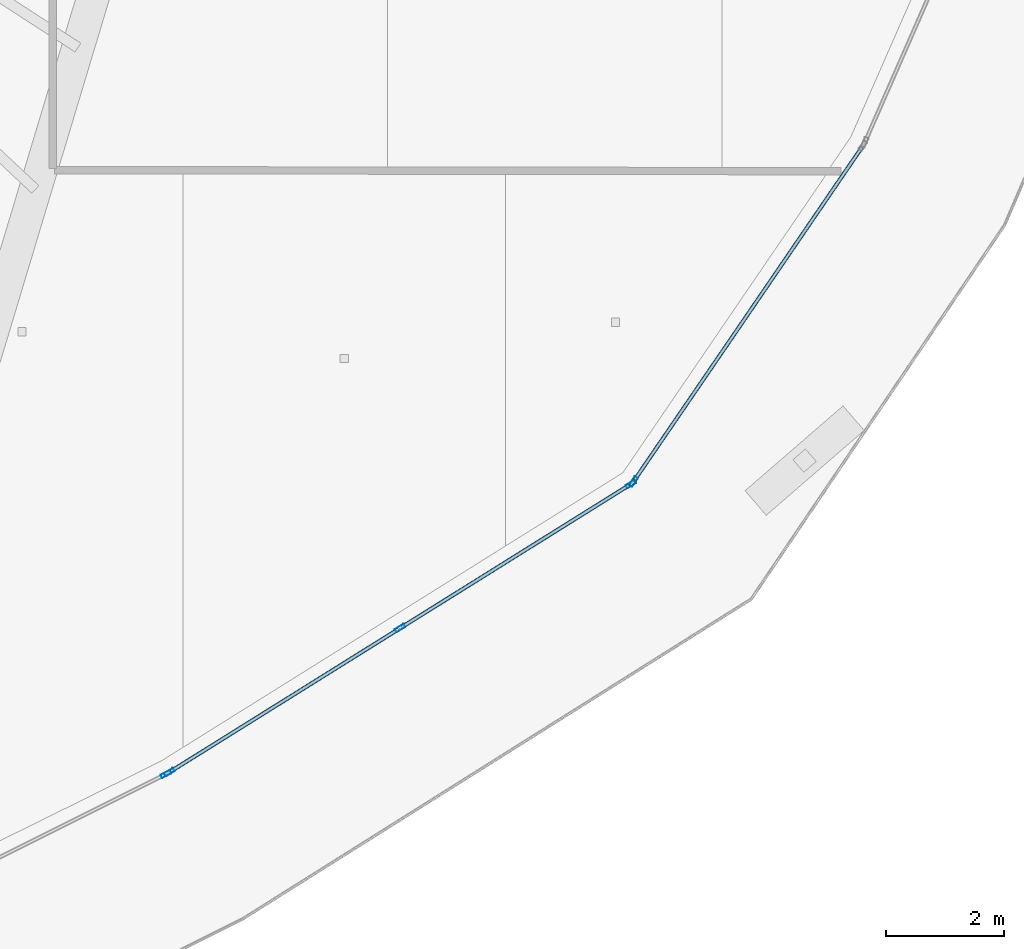
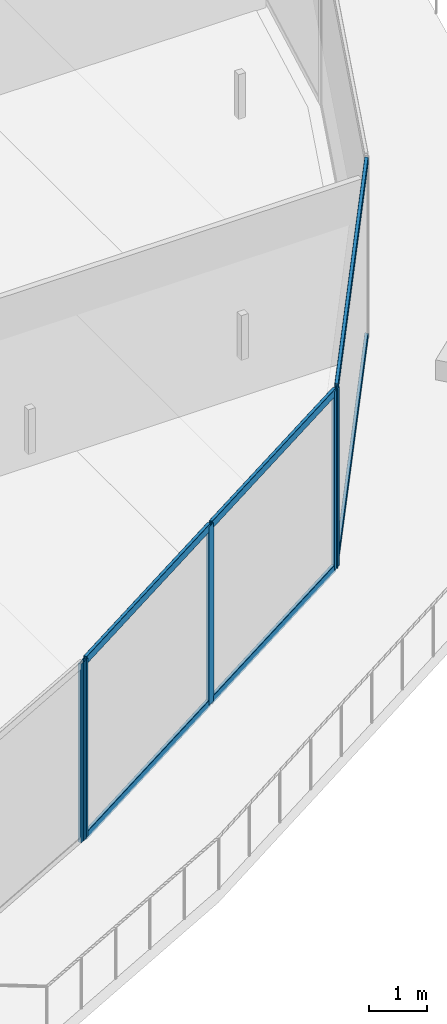
# One storey, part 9 of 44: 11 members, 3 elements without a shape of their own.
"""IFC4 building model written with IfcOpenShell, lengths in metres."""

from ifc_helpers import new_model, si_unit, direction, frame, origin, origin_2d, place, context, subcontext, project, spatial, hollow_rectangle, extrude, material, layer, layer_set, material_profile, profile_set, type_object, element, aggregate, save


model = new_model("IFC4")

# Units and contexts
model_context = context("Model", 3, precision=1e-05, world=origin(), true_north=direction((0.0, 1.0)))
body_context = subcontext(model_context, "Body", "Model", "MODEL_VIEW")
ifc_project = project(units=[si_unit("LENGTHUNIT", "METRE"), si_unit("AREAUNIT", "SQUARE_METRE"), si_unit("VOLUMEUNIT", "CUBIC_METRE"), si_unit("PLANEANGLEUNIT", "RADIAN"), si_unit("MASSUNIT", "GRAM", prefix="KILO")], contexts=[model_context])

# Site, building, storey
site_placement = place(None, origin())
site = spatial("IfcSite", under=ifc_project, at=site_placement, CompositionType="ELEMENT")
building_placement = place(site_placement, origin())
building = spatial("IfcBuilding", under=site, at=building_placement, Name="Qorvath Tower", CompositionType="ELEMENT")
storey_placement = place(building_placement, frame((0.0, 0.0, 113.85009765625)))
storey = spatial("IfcBuildingStorey", under=building, at=storey_placement, Name="L25", CompositionType="ELEMENT", Elevation=113.85009765625)

# Curtain wall, member
ifc_material_1 = material(Name="Anodised aluminium and triple low-E glass", Category="aluminium")
ifc_layer = layer(ifc_material_1, 0.179931640625)
ifc_layer_set = layer_set([ifc_layer], Name="CW-SYS-2")
curtain_wall_type = type_object("IfcCurtainWallType", Name="CW-SYS-2", PredefinedType="NOTDEFINED", material=ifc_layer_set)
curtain_wall_1_placement = place(storey_placement, origin())
curtain_wall_1 = element("IfcCurtainWall", 1, at=curtain_wall_1_placement, inside=storey, type_object=curtain_wall_type, Name="Curtain Wall CW-2 CW-T-L25-3.1", PredefinedType="NOTDEFINED")
ifc_material_2 = material(Name="Anodised aluminium 6063-T6", Category="aluminium")
ifc_material_profile_1 = material_profile(ifc_material_2, hollow_rectangle(XDim=0.06494140625, YDim=0.179931640625, WallThickness=0.00341796875, InnerFilletRadius=0.00341796875, OuterFilletRadius=0.007080078125, at=origin_2d()), Name="CWM 180x65")
ifc_profile_set_1 = profile_set([ifc_material_profile_1], Name="Anodised aluminium 6063-T6")
member_type_1 = type_object("IfcMemberType", Name="CWM-180", PredefinedType="MULLION", material=ifc_profile_set_1)
member_1_placement = place(storey_placement, frame((-11.228759765625, -28.875, 0.0), z_axis=(0.0, 0.0, 1.0), x_axis=(-0.447181364469, 0.89444330579, 0.0)))
member_1 = element("IfcMember", 2, at=member_1_placement, type_object=member_type_1, Name="CW-2 mullion 2", PredefinedType="MULLION", context=body_context, shape_type="SweptSolid", body=[
    extrude(hollow_rectangle(XDim=0.06494140625, YDim=0.179931640625, WallThickness=0.00341796875, InnerFilletRadius=0.00341796875, OuterFilletRadius=0.007080078125, at=origin_2d()), origin(), (0.0, 0.0, 1.0), 3.77001953125),
])
aggregate(curtain_wall_1, [member_1])

# Curtain wall, members
curtain_wall_2_placement = place(storey_placement, origin())
curtain_wall_2 = element("IfcCurtainWall", 3, at=curtain_wall_2_placement, inside=storey, type_object=curtain_wall_type, Name="Curtain Wall CW-2 CW-T-L25-4.1", PredefinedType="NOTDEFINED")
member_2_placement = place(storey_placement, frame((-11.172119140625, -28.84326171875, 0.0), z_axis=(0.0, 0.0, 1.0), x_axis=(-0.529548597524, 0.848279601818, 0.0)))
member_2 = element("IfcMember", 4, at=member_2_placement, type_object=member_type_1, Name="CW-2 mullion 1", PredefinedType="MULLION", context=body_context, shape_type="SweptSolid", body=[
    extrude(hollow_rectangle(XDim=0.06494140625, YDim=0.179931640625, WallThickness=0.00341796875, InnerFilletRadius=0.00341796875, OuterFilletRadius=0.007080078125, at=origin_2d()), origin(), (0.0, 0.0, 1.0), 3.77001953125),
])
member_3_placement = place(storey_placement, frame((-7.25390625, -26.397216796875, 0.0), z_axis=(0.0, 0.0, 1.0), x_axis=(-0.529548597524, 0.848279601818, 0.0)))
member_3 = element("IfcMember", 5, at=member_3_placement, type_object=member_type_1, Name="CW-2 mullion 2", PredefinedType="MULLION", context=body_context, shape_type="SweptSolid", body=[
    extrude(hollow_rectangle(XDim=0.06494140625, YDim=0.179931640625, WallThickness=0.00341796875, InnerFilletRadius=0.00341796875, OuterFilletRadius=0.007080078125, at=origin_2d()), origin(), (0.0, 0.0, 1.0), 3.77001953125),
])
member_4_placement = place(storey_placement, frame((-3.3359375, -23.951416015625, 0.0), z_axis=(0.0, 0.0, 1.0), x_axis=(-0.529548597524, 0.848279601818, 0.0)))
member_4 = element("IfcMember", 6, at=member_4_placement, type_object=member_type_1, Name="CW-2 mullion 3", PredefinedType="MULLION", context=body_context, shape_type="SweptSolid", body=[
    extrude(hollow_rectangle(XDim=0.06494140625, YDim=0.179931640625, WallThickness=0.00341796875, InnerFilletRadius=0.00341796875, OuterFilletRadius=0.007080078125, at=origin_2d()), origin(), (0.0, 0.0, 1.0), 3.77001953125),
])

# Curtain wall, member
curtain_wall_3_placement = place(storey_placement, origin())
curtain_wall_3 = element("IfcCurtainWall", 7, at=curtain_wall_3_placement, inside=storey, type_object=curtain_wall_type, Name="Curtain Wall CW-2 CW-T-L25-5.1", PredefinedType="NOTDEFINED")
member_5_placement = place(storey_placement, frame((-3.2900390625, -23.9072265625, 0.0), z_axis=(0.0, 0.0, 1.0), x_axis=(-0.825695001763, 0.564116800019, 0.0)))
member_5 = element("IfcMember", 8, at=member_5_placement, type_object=member_type_1, Name="CW-2 mullion 1", PredefinedType="MULLION", context=body_context, shape_type="SweptSolid", body=[
    extrude(hollow_rectangle(XDim=0.06494140625, YDim=0.179931640625, WallThickness=0.00341796875, InnerFilletRadius=0.00341796875, OuterFilletRadius=0.007080078125, at=origin_2d()), origin(), (0.0, 0.0, 1.0), 3.77001953125),
])

# Member
ifc_material_3 = material(Name="Anodised aluminium 6063-T6", Category="aluminium")
ifc_material_profile_2 = material_profile(ifc_material_3, hollow_rectangle(XDim=0.06494140625, YDim=0.159912109375, WallThickness=0.00341796875, InnerFilletRadius=0.00341796875, OuterFilletRadius=0.007080078125, at=origin_2d()), Name="CWT 160x65")
ifc_profile_set_2 = profile_set([ifc_material_profile_2], Name="Anodised aluminium 6063-T6")
member_type_2 = type_object("IfcMemberType", Name="CWT-160", PredefinedType="USERDEFINED", material=ifc_profile_set_2)
member_6_placement = place(storey_placement, frame((-11.14453125, -28.825927734375, 0.032470703125), z_axis=(0.848296346678, 0.529521773124, 0.0), x_axis=(-0.529521773124, 0.848296346678, 0.0)))
member_6 = element("IfcMember", 9, at=member_6_placement, type_object=member_type_2, Name="CW-2 transom 1.1", ObjectType="TRANSOM", PredefinedType="USERDEFINED", context=body_context, shape_type="SweptSolid", body=[
    extrude(hollow_rectangle(XDim=0.06494140625, YDim=0.159912109375, WallThickness=0.00341796875, InnerFilletRadius=0.00341796875, OuterFilletRadius=0.007080078125, at=origin_2d()), origin(), (0.0, 0.0, 1.0), 4.553955078125),
])

member_7_placement = place(storey_placement, frame((-11.14453125, -28.825927734375, 3.737548828125), z_axis=(0.848296346678, 0.529521773124, 0.0), x_axis=(-0.529521773124, 0.848296346678, 0.0)))
member_7 = element("IfcMember", 10, at=member_7_placement, type_object=member_type_2, Name="CW-2 transom 1.2", ObjectType="TRANSOM", PredefinedType="USERDEFINED", context=body_context, shape_type="SweptSolid", body=[
    extrude(hollow_rectangle(XDim=0.06494140625, YDim=0.159912109375, WallThickness=0.00341796875, InnerFilletRadius=0.00341796875, OuterFilletRadius=0.007080078125, at=origin_2d()), origin(), (0.0, 0.0, 1.0), 4.553955078125),
])

member_8_placement = place(storey_placement, frame((-7.226318359375, -26.380126953125, 0.032470703125), z_axis=(0.848257229493, 0.529584433885, 0.0), x_axis=(-0.529584433885, 0.848257229493, 0.0)))
member_8 = element("IfcMember", 11, at=member_8_placement, type_object=member_type_2, Name="CW-2 transom 2.1", ObjectType="TRANSOM", PredefinedType="USERDEFINED", context=body_context, shape_type="SweptSolid", body=[
    extrude(hollow_rectangle(XDim=0.06494140625, YDim=0.159912109375, WallThickness=0.00341796875, InnerFilletRadius=0.00341796875, OuterFilletRadius=0.007080078125, at=origin_2d()), origin(), (0.0, 0.0, 1.0), 4.5537109375),
])

member_9_placement = place(storey_placement, frame((-7.226318359375, -26.380126953125, 3.737548828125), z_axis=(0.848257229493, 0.529584433885, 0.0), x_axis=(-0.529584433885, 0.848257229493, 0.0)))
member_9 = element("IfcMember", 12, at=member_9_placement, type_object=member_type_2, Name="CW-2 transom 2.2", ObjectType="TRANSOM", PredefinedType="USERDEFINED", context=body_context, shape_type="SweptSolid", body=[
    extrude(hollow_rectangle(XDim=0.06494140625, YDim=0.159912109375, WallThickness=0.00341796875, InnerFilletRadius=0.00341796875, OuterFilletRadius=0.007080078125, at=origin_2d()), origin(), (0.0, 0.0, 1.0), 4.5537109375),
])

aggregate(curtain_wall_2, [member_2, member_3, member_4, member_6, member_7, member_8, member_9])

member_10_placement = place(storey_placement, frame((-3.271728515625, -23.88037109375, 0.032470703125), z_axis=(0.564139796164, 0.825679290272, 0.0), x_axis=(-0.825679290272, 0.564139796164, 0.0)))
member_10 = element("IfcMember", 13, at=member_10_placement, type_object=member_type_2, Name="CW-2 transom 1.1", ObjectType="TRANSOM", PredefinedType="USERDEFINED", context=body_context, shape_type="SweptSolid", body=[
    extrude(hollow_rectangle(XDim=0.06494140625, YDim=0.159912109375, WallThickness=0.00341796875, InnerFilletRadius=0.00341796875, OuterFilletRadius=0.007080078125, at=origin_2d()), origin(), (0.0, 0.0, 1.0), 6.837646484375),
])

member_11_placement = place(storey_placement, frame((-3.271728515625, -23.88037109375, 3.737548828125), z_axis=(0.564139796164, 0.825679290272, 0.0), x_axis=(-0.825679290272, 0.564139796164, 0.0)))
member_11 = element("IfcMember", 14, at=member_11_placement, type_object=member_type_2, Name="CW-2 transom 1.2", ObjectType="TRANSOM", PredefinedType="USERDEFINED", context=body_context, shape_type="SweptSolid", body=[
    extrude(hollow_rectangle(XDim=0.06494140625, YDim=0.159912109375, WallThickness=0.00341796875, InnerFilletRadius=0.00341796875, OuterFilletRadius=0.007080078125, at=origin_2d()), origin(), (0.0, 0.0, 1.0), 6.837646484375),
])

aggregate(curtain_wall_3, [member_5, member_10, member_11])

save(model, "model.ifc")
